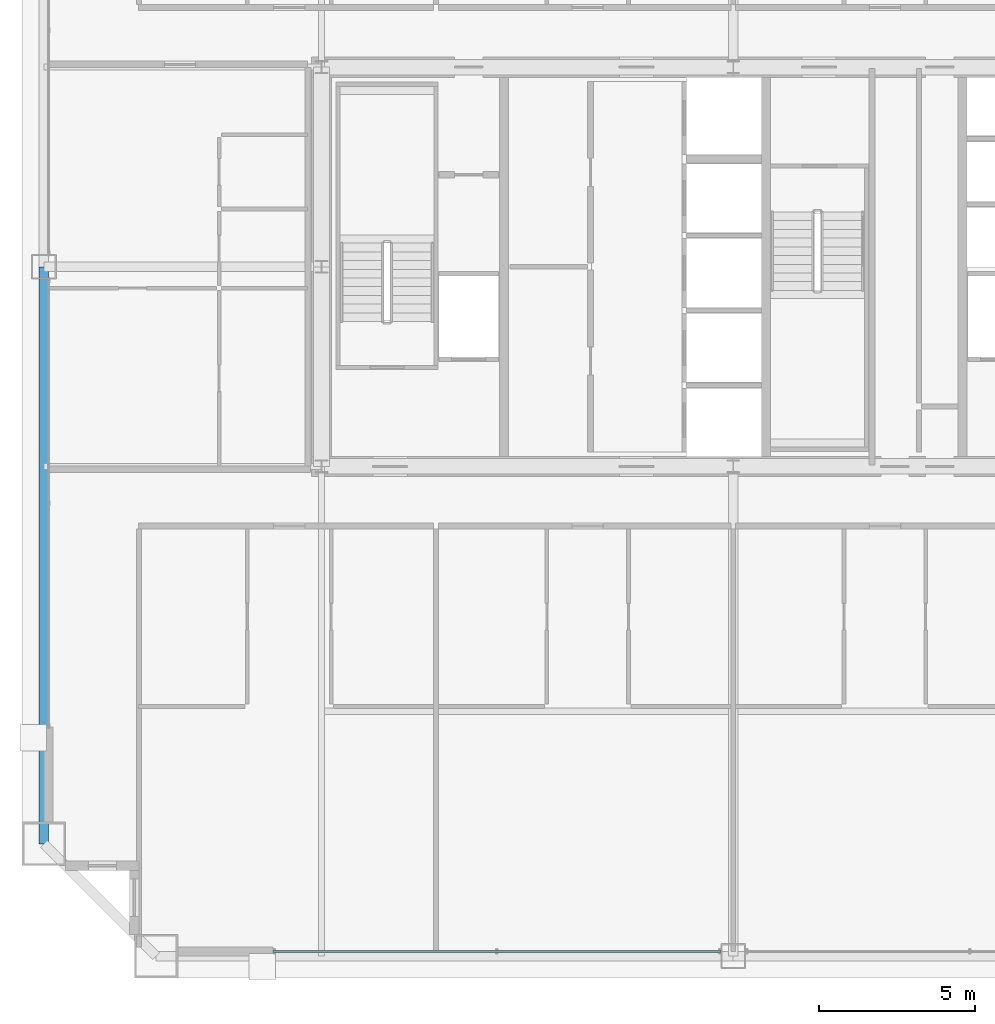
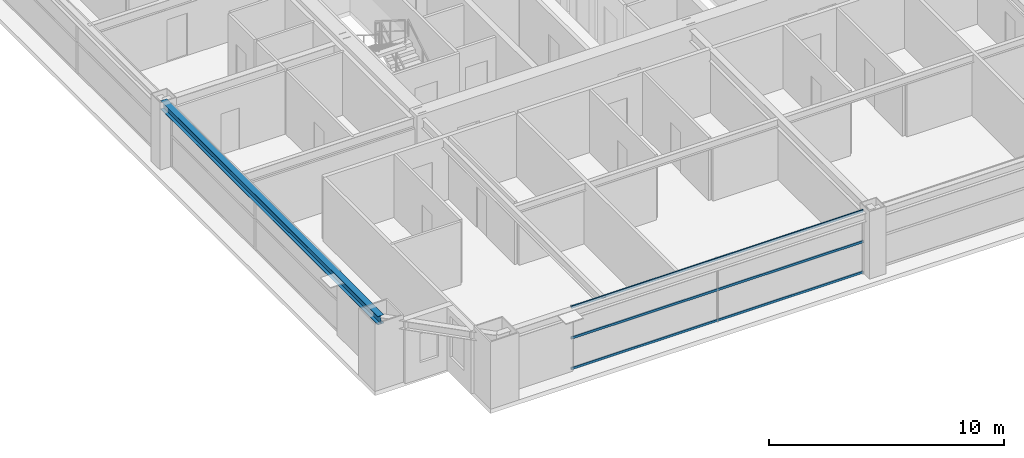
# One storey, part 7 of 38: 3 members, 1 beam, 1 element without a shape of its own.
"""IFC4 building model written with IfcOpenShell, lengths in metres."""

from ifc_helpers import new_model, si_unit, direction, frame, origin, origin_2d, place, context, subcontext, project, spatial, hollow_rectangle, i_section, extrude, source, transform, mapped, material, layer, layer_set, material_profile, profile_set, type_object, element, aggregate, save


model = new_model("IFC4")

# Units and contexts
model_context = context("Model", 3, precision=1e-05, world=origin(), true_north=direction((0.0, 1.0)))
body_context = subcontext(model_context, "Body", "Model", "MODEL_VIEW")
ifc_project = project(units=[si_unit("LENGTHUNIT", "METRE"), si_unit("AREAUNIT", "SQUARE_METRE"), si_unit("VOLUMEUNIT", "CUBIC_METRE"), si_unit("PLANEANGLEUNIT", "RADIAN"), si_unit("MASSUNIT", "GRAM", prefix="KILO"), si_unit("THERMODYNAMICTEMPERATUREUNIT", "KELVIN"), si_unit("POWERUNIT", "WATT")], contexts=[model_context])

# Site, building, storey
site_placement = place(None, origin())
site = spatial("IfcSite", under=ifc_project, at=site_placement, CompositionType="ELEMENT")
building_placement = place(site_placement, origin())
building = spatial("IfcBuilding", under=site, at=building_placement, Name="Yuzanri Waterfront Tower", CompositionType="ELEMENT")
storey_placement = place(building_placement, frame((0.0, 0.0, 181.0)))
storey = spatial("IfcBuildingStorey", under=building, at=storey_placement, Name="L47", CompositionType="ELEMENT", Elevation=181.0)

# Beam
ifc_material_1 = material(Name="Steel Q355B", Category="steel")
ifc_material_profile_1 = material_profile(ifc_material_1, i_section(OverallWidth=0.300048828125, OverallDepth=0.43994140625, WebThickness=0.010986328125, FlangeThickness=0.01806640625, at=origin_2d()), Name="HM 440x300x11x18")
ifc_profile_set_1 = profile_set([ifc_material_profile_1], Name="Steel Q355B")
beam_type = type_object("IfcBeamType", Name="Perimeter Spandrel Q355B HM 440x300", PredefinedType="SPANDREL", material=ifc_profile_set_1)
shared_shape_1 = source(origin(), body_context, "Body", "SweptSolid", [
    extrude(i_section(OverallWidth=0.300048828125, OverallDepth=0.43994140625, WebThickness=0.010986328125, FlangeThickness=0.01806640625, at=origin_2d()), origin(), (0.0, 0.0, 1.0), 18.5),
])
beam_placement = place(storey_placement, frame((14.89990234375, 25.800048828125, 3.06005859375), z_axis=(0.0, -1.0, 0.0), x_axis=(1.0, 0.0, 0.0)))
element("IfcBeam", 1, at=beam_placement, inside=storey, type_object=beam_type, Name="L47 Perimeter Spandrel W2-W1", PredefinedType="SPANDREL", context=body_context, shape_type="MappedRepresentation", body=[
    mapped(shared_shape_1, transform((0.0, 0.0, 0.0), scale=1.0)),
])

# Curtain wall, members
ifc_material_2 = material(Name="Anodized Architectural Bronze", Category="metal")
ifc_layer = layer(ifc_material_2, 0.159912109375)
ifc_layer_set = layer_set([ifc_layer], Name="Anodized Architectural Bronze")
curtain_wall_type = type_object("IfcCurtainWallType", Name="Anodized Bronze Mid-Rise Residential Acoustic Unitized Curtain Wall 7200", PredefinedType="NOTDEFINED", material=ifc_layer_set)
curtain_wall_placement = place(storey_placement, origin())
curtain_wall = element("IfcCurtainWall", 2, at=curtain_wall_placement, inside=storey, type_object=curtain_wall_type, Name="L47 Curtain Wall CW-L47-SL", PredefinedType="NOTDEFINED")
ifc_material_3 = material(Name="Anodized Architectural Bronze", Category="metal")
ifc_material_profile_2 = material_profile(ifc_material_3, hollow_rectangle(XDim=0.06494140625, YDim=0.1201171875, WallThickness=0.00341796875, at=origin_2d()), Name="CWT 65x120")
ifc_profile_set_2 = profile_set([ifc_material_profile_2], Name="Anodized Architectural Bronze")
member_type = type_object("IfcMemberType", Name="Anodized Bronze Secondary Curtain-Wall Transom 65x120", PredefinedType="USERDEFINED", material=ifc_profile_set_2)
shared_shape_2 = source(origin(), body_context, "Body", "SweptSolid", [
    extrude(hollow_rectangle(XDim=0.06494140625, YDim=0.1201171875, WallThickness=0.00341796875, at=origin_2d()), origin(), (0.0, 0.0, 1.0), 14.35009765625),
])
member_1_placement = place(storey_placement, frame((22.25, 3.85009765625, 0.050048828125), z_axis=(1.0, 0.0, 0.0), x_axis=(0.0, 1.0, 0.0)))
member_1 = element("IfcMember", 3, at=member_1_placement, type_object=member_type, Name="CW-L47-SL Transom 1", ObjectType="TRANSOM", PredefinedType="USERDEFINED", context=body_context, shape_type="MappedRepresentation", body=[
    mapped(shared_shape_2, transform((0.0, 0.0, 0.0), scale=1.0)),
])
member_2_placement = place(storey_placement, frame((22.25, 3.85009765625, 1.639892578125), z_axis=(1.0, 0.0, 0.0), x_axis=(0.0, 1.0, 0.0)))
member_2 = element("IfcMember", 4, at=member_2_placement, type_object=member_type, Name="CW-L47-SL Transom 2", ObjectType="TRANSOM", PredefinedType="USERDEFINED", context=body_context, shape_type="MappedRepresentation", body=[
    mapped(shared_shape_2, transform((0.0, 0.0, 0.0), scale=1.0)),
])
member_3_placement = place(storey_placement, frame((22.25, 3.85009765625, 3.22998046875), z_axis=(1.0, 0.0, 0.0), x_axis=(0.0, 1.0, 0.0)))
member_3 = element("IfcMember", 5, at=member_3_placement, type_object=member_type, Name="CW-L47-SL Transom 3", ObjectType="TRANSOM", PredefinedType="USERDEFINED", context=body_context, shape_type="MappedRepresentation", body=[
    mapped(shared_shape_2, transform((0.0, 0.0, 0.0), scale=1.0)),
])
aggregate(curtain_wall, [member_1, member_2, member_3])

save(model, "model.ifc")
